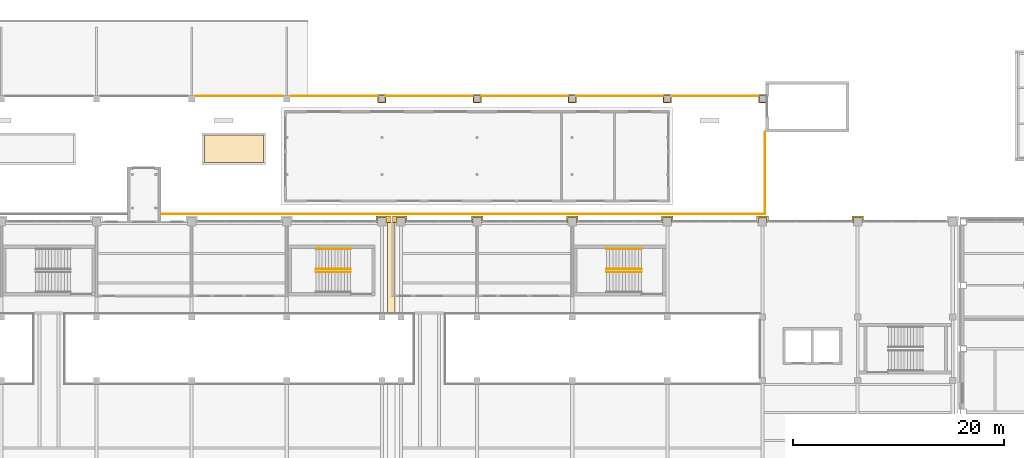
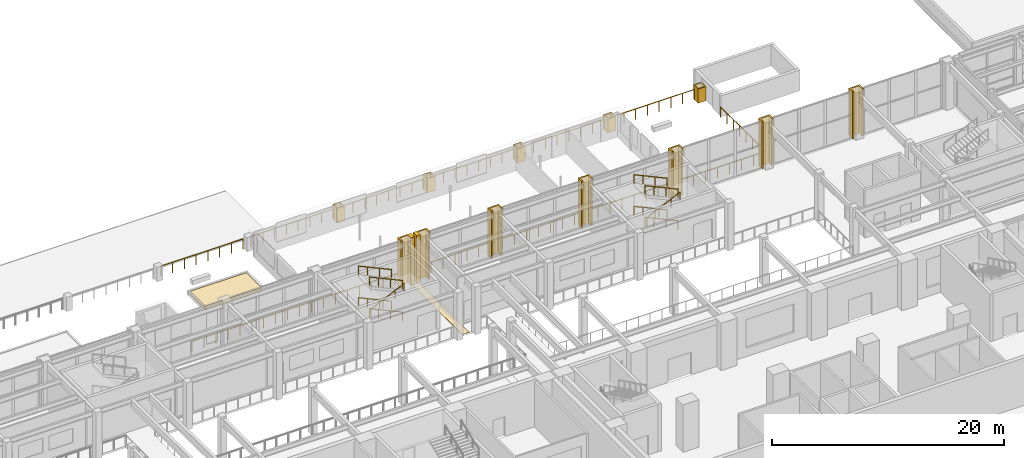
# One storey, part 64 of 67: 18 railings, 14 coverings.
"""IFC4 building model written with IfcOpenShell, lengths in metres."""

from ifc_helpers import new_model, si_unit, direction, frame, origin, origin_2d, place, context, subcontext, project, spatial, polyline, circle, outline, extrude, material, layer, layer_set, type_object, element, save


model = new_model("IFC4")

# Units and contexts
model_context = context("Model", 3, precision=1e-05, world=origin(), true_north=direction((0.0, 1.0)))
body_context = subcontext(model_context, "Body", "Model", "MODEL_VIEW")
ifc_project = project(units=[si_unit("LENGTHUNIT", "METRE"), si_unit("AREAUNIT", "SQUARE_METRE"), si_unit("VOLUMEUNIT", "CUBIC_METRE"), si_unit("PLANEANGLEUNIT", "RADIAN"), si_unit("MASSUNIT", "GRAM", prefix="KILO")], contexts=[model_context])

# Site, building, storey
site_placement = place(None, origin())
site = spatial("IfcSite", under=ifc_project, at=site_placement, CompositionType="ELEMENT")
building_placement = place(site_placement, origin())
building = spatial("IfcBuilding", under=site, at=building_placement, Name="Aravalli Gate Trade Fair Centre", CompositionType="ELEMENT")
storey_placement = place(building_placement, frame((0.0, 0.0, 5.0)))
storey = spatial("IfcBuildingStorey", under=building, at=storey_placement, Name="L01", CompositionType="ELEMENT", Elevation=5.0)

# Coverings
ifc_material_1 = material(Name="Glazed terracotta", Category="masonry")
ifc_layer_1 = layer(ifc_material_1, 0.10009765625)
ifc_layer_set_1 = layer_set([ifc_layer_1], Name="Glazed terracotta")
covering_type_1 = type_object("IfcCoveringType", Name="Arcade pier casing 100", PredefinedType="CLADDING", material=ifc_layer_set_1)
covering_1_placement = place(storey_placement, origin())
element("IfcCovering", 1, at=covering_1_placement, inside=storey, type_object=covering_type_1, Name="Arcade pier casing 12 L01", PredefinedType="CLADDING", context=body_context, shape_type="SweptSolid", body=[
    extrude(outline(polyline([(104.60009765625, 144.25), (105.39990234375, 144.25), (105.39990234375, 145.050048828125), (104.60009765625, 145.050048828125), (104.60009765625, 144.25)]), holes=[polyline([(105.300048828125, 144.949951171875), (105.300048828125, 144.35009765625), (104.699951171875, 144.35009765625), (104.699951171875, 144.949951171875), (105.300048828125, 144.949951171875)])]), origin(), (0.0, 0.0, 1.0), 1.5),
])
covering_2_placement = place(storey_placement, origin())
element("IfcCovering", 2, at=covering_2_placement, inside=storey, type_object=covering_type_1, Name="Arcade pier casing 13 L01", PredefinedType="CLADDING", context=body_context, shape_type="SweptSolid", body=[
    extrude(outline(polyline([(113.60009765625, 144.25), (114.39990234375, 144.25), (114.39990234375, 145.050048828125), (113.60009765625, 145.050048828125), (113.60009765625, 144.25)]), holes=[polyline([(114.300048828125, 144.949951171875), (114.300048828125, 144.35009765625), (113.699951171875, 144.35009765625), (113.699951171875, 144.949951171875), (114.300048828125, 144.949951171875)])]), origin(), (0.0, 0.0, 1.0), 1.5),
])
covering_3_placement = place(storey_placement, origin())
element("IfcCovering", 3, at=covering_3_placement, inside=storey, type_object=covering_type_1, Name="Arcade pier casing 14 L01", PredefinedType="CLADDING", context=body_context, shape_type="SweptSolid", body=[
    extrude(outline(polyline([(122.60009765625, 144.25), (123.39990234375, 144.25), (123.39990234375, 145.050048828125), (122.60009765625, 145.050048828125), (122.60009765625, 144.25)]), holes=[polyline([(123.300048828125, 144.949951171875), (123.300048828125, 144.35009765625), (122.699951171875, 144.35009765625), (122.699951171875, 144.949951171875), (123.300048828125, 144.949951171875)])]), origin(), (0.0, 0.0, 1.0), 1.5),
])
covering_4_placement = place(storey_placement, origin())
element("IfcCovering", 4, at=covering_4_placement, inside=storey, type_object=covering_type_1, Name="Arcade pier casing 15 L01", PredefinedType="CLADDING", context=body_context, shape_type="SweptSolid", body=[
    extrude(outline(polyline([(131.60009765625, 144.25), (132.39990234375, 144.25), (132.39990234375, 145.050048828125), (131.60009765625, 145.050048828125), (131.60009765625, 144.25)]), holes=[polyline([(132.300048828125, 144.949951171875), (132.300048828125, 144.35009765625), (131.699951171875, 144.35009765625), (131.699951171875, 144.949951171875), (132.300048828125, 144.949951171875)])]), origin(), (0.0, 0.0, 1.0), 1.5),
])
covering_5_placement = place(storey_placement, origin())
element("IfcCovering", 5, at=covering_5_placement, inside=storey, type_object=covering_type_1, Name="Arcade pier casing 16 L01", PredefinedType="CLADDING", context=body_context, shape_type="SweptSolid", body=[
    extrude(outline(polyline([(140.60009765625, 144.25), (141.39990234375, 144.25), (141.39990234375, 145.050048828125), (140.60009765625, 145.050048828125), (140.60009765625, 144.25)]), holes=[polyline([(141.300048828125, 144.949951171875), (141.300048828125, 144.35009765625), (140.699951171875, 144.35009765625), (140.699951171875, 144.949951171875), (141.300048828125, 144.949951171875)])]), origin(), (0.0, 0.0, 1.0), 1.5),
])

# Railings
ifc_material_2 = material(Name="Steel E350", Category="steel")
railing_type_1 = type_object("IfcRailingType", Name="Arcade terrace guard 1100", PredefinedType="GUARDRAIL", material=ifc_material_2)
for number, where, name in (
    (6, (87.39990234375, 144.89990234375, 0.0), "Terrace guard N10"),
    (7, (96.39990234375, 144.89990234375, 0.0), "Terrace guard N11"),
    (8, (105.39990234375, 144.89990234375, 0.0), "Terrace guard N12"),
    (9, (114.39990234375, 144.89990234375, 0.0), "Terrace guard N13"),
    (10, (123.39990234375, 144.89990234375, 0.0), "Terrace guard N14"),
    (11, (132.39990234375, 144.89990234375, 0.0), "Terrace guard N15"),
):
    element("IfcRailing", number, at=place(storey_placement, frame(where)), inside=storey, type_object=railing_type_1, Name=name, PredefinedType="GUARDRAIL", context=body_context, shape_type="SweptSolid", body=[
        extrude(circle(Radius=0.02392578125, at=origin_2d()), frame((0.0, 0.0, 1.076171875), z_axis=(1.0, 0.0, 0.0), x_axis=(0.0, 1.0, 0.0)), (0.0, 0.0, 1.0), 8.2001953125),
        extrude(circle(Radius=0.02099609375, at=origin_2d()), origin(), (0.0, 0.0, 1.0), 1.052001953125),
        extrude(circle(Radius=0.02099609375, at=origin_2d()), frame((1.17138671875, 0.0, 0.0)), (0.0, 0.0, 1.0), 1.052001953125),
        extrude(circle(Radius=0.02099609375, at=origin_2d()), frame((2.343017578125, 0.0, 0.0)), (0.0, 0.0, 1.0), 1.052001953125),
        extrude(circle(Radius=0.02099609375, at=origin_2d()), frame((3.514404296875, 0.0, 0.0)), (0.0, 0.0, 1.0), 1.052001953125),
        extrude(circle(Radius=0.02099609375, at=origin_2d()), frame((4.685791015625, 0.0, 0.0)), (0.0, 0.0, 1.0), 1.052001953125),
        extrude(circle(Radius=0.02099609375, at=origin_2d()), frame((5.857177734375, 0.0, 0.0)), (0.0, 0.0, 1.0), 1.052001953125),
        extrude(circle(Radius=0.02099609375, at=origin_2d()), frame((7.02880859375, 0.0, 0.0)), (0.0, 0.0, 1.0), 1.052001953125),
        extrude(circle(Radius=0.02099609375, at=origin_2d()), frame((8.2001953125, 0.0, 0.0)), (0.0, 0.0, 1.0), 1.052001953125),
    ])
railing_1_placement = place(storey_placement, frame((84.080078125, 133.75, 0.0)))
element("IfcRailing", 12, at=railing_1_placement, inside=storey, type_object=railing_type_1, Name="Terrace guard S2", PredefinedType="GUARDRAIL", context=body_context, shape_type="SweptSolid", body=[
    extrude(circle(Radius=0.02392578125, at=origin_2d()), frame((0.0, 0.0, 1.076171875), z_axis=(1.0, 0.0, 0.0), x_axis=(0.0, 1.0, 0.0)), (0.0, 0.0, 1.0), 57.169921875),
    extrude(circle(Radius=0.02099609375, at=origin_2d()), origin(), (0.0, 0.0, 1.0), 1.052001953125),
    extrude(circle(Radius=0.02099609375, at=origin_2d()), frame((1.19091796875, 0.0, 0.0)), (0.0, 0.0, 1.0), 1.052001953125),
    extrude(circle(Radius=0.02099609375, at=origin_2d()), frame((2.382080078125, 0.0, 0.0)), (0.0, 0.0, 1.0), 1.052001953125),
    extrude(circle(Radius=0.02099609375, at=origin_2d()), frame((3.5732421875, 0.0, 0.0)), (0.0, 0.0, 1.0), 1.052001953125),
    extrude(circle(Radius=0.02099609375, at=origin_2d()), frame((4.76416015625, 0.0, 0.0)), (0.0, 0.0, 1.0), 1.052001953125),
    extrude(circle(Radius=0.02099609375, at=origin_2d()), frame((5.955078125, 0.0, 0.0)), (0.0, 0.0, 1.0), 1.052001953125),
    extrude(circle(Radius=0.02099609375, at=origin_2d()), frame((7.146240234375, 0.0, 0.0)), (0.0, 0.0, 1.0), 1.052001953125),
    extrude(circle(Radius=0.02099609375, at=origin_2d()), frame((8.33740234375, 0.0, 0.0)), (0.0, 0.0, 1.0), 1.052001953125),
    extrude(circle(Radius=0.02099609375, at=origin_2d()), frame((9.5283203125, 0.0, 0.0)), (0.0, 0.0, 1.0), 1.052001953125),
    extrude(circle(Radius=0.02099609375, at=origin_2d()), frame((10.71923828125, 0.0, 0.0)), (0.0, 0.0, 1.0), 1.052001953125),
    extrude(circle(Radius=0.02099609375, at=origin_2d()), frame((11.910400390625, 0.0, 0.0)), (0.0, 0.0, 1.0), 1.052001953125),
    extrude(circle(Radius=0.02099609375, at=origin_2d()), frame((13.1015625, 0.0, 0.0)), (0.0, 0.0, 1.0), 1.052001953125),
    extrude(circle(Radius=0.02099609375, at=origin_2d()), frame((14.29248046875, 0.0, 0.0)), (0.0, 0.0, 1.0), 1.052001953125),
    extrude(circle(Radius=0.02099609375, at=origin_2d()), frame((15.4833984375, 0.0, 0.0)), (0.0, 0.0, 1.0), 1.052001953125),
    extrude(circle(Radius=0.02099609375, at=origin_2d()), frame((16.674560546875, 0.0, 0.0)), (0.0, 0.0, 1.0), 1.052001953125),
    extrude(circle(Radius=0.02099609375, at=origin_2d()), frame((17.86572265625, 0.0, 0.0)), (0.0, 0.0, 1.0), 1.052001953125),
    extrude(circle(Radius=0.02099609375, at=origin_2d()), frame((19.056640625, 0.0, 0.0)), (0.0, 0.0, 1.0), 1.052001953125),
    extrude(circle(Radius=0.02099609375, at=origin_2d()), frame((20.24755859375, 0.0, 0.0)), (0.0, 0.0, 1.0), 1.052001953125),
    extrude(circle(Radius=0.02099609375, at=origin_2d()), frame((21.438720703125, 0.0, 0.0)), (0.0, 0.0, 1.0), 1.052001953125),
    extrude(circle(Radius=0.02099609375, at=origin_2d()), frame((22.6298828125, 0.0, 0.0)), (0.0, 0.0, 1.0), 1.052001953125),
    extrude(circle(Radius=0.02099609375, at=origin_2d()), frame((23.82080078125, 0.0, 0.0)), (0.0, 0.0, 1.0), 1.052001953125),
    extrude(circle(Radius=0.02099609375, at=origin_2d()), frame((25.01171875, 0.0, 0.0)), (0.0, 0.0, 1.0), 1.052001953125),
    extrude(circle(Radius=0.02099609375, at=origin_2d()), frame((26.202880859375, 0.0, 0.0)), (0.0, 0.0, 1.0), 1.052001953125),
    extrude(circle(Radius=0.02099609375, at=origin_2d()), frame((27.39404296875, 0.0, 0.0)), (0.0, 0.0, 1.0), 1.052001953125),
    extrude(circle(Radius=0.02099609375, at=origin_2d()), frame((28.5849609375, 0.0, 0.0)), (0.0, 0.0, 1.0), 1.052001953125),
    extrude(circle(Radius=0.02099609375, at=origin_2d()), frame((29.776123046875, 0.0, 0.0)), (0.0, 0.0, 1.0), 1.052001953125),
    extrude(circle(Radius=0.02099609375, at=origin_2d()), frame((30.967041015625, 0.0, 0.0)), (0.0, 0.0, 1.0), 1.052001953125),
    extrude(circle(Radius=0.02099609375, at=origin_2d()), frame((32.158203125, 0.0, 0.0)), (0.0, 0.0, 1.0), 1.052001953125),
    extrude(circle(Radius=0.02099609375, at=origin_2d()), frame((33.34912109375, 0.0, 0.0)), (0.0, 0.0, 1.0), 1.052001953125),
    extrude(circle(Radius=0.02099609375, at=origin_2d()), frame((34.5400390625, 0.0, 0.0)), (0.0, 0.0, 1.0), 1.052001953125),
    extrude(circle(Radius=0.02099609375, at=origin_2d()), frame((35.731201171875, 0.0, 0.0)), (0.0, 0.0, 1.0), 1.052001953125),
    extrude(circle(Radius=0.02099609375, at=origin_2d()), frame((36.92236328125, 0.0, 0.0)), (0.0, 0.0, 1.0), 1.052001953125),
    extrude(circle(Radius=0.02099609375, at=origin_2d()), frame((38.11328125, 0.0, 0.0)), (0.0, 0.0, 1.0), 1.052001953125),
    extrude(circle(Radius=0.02099609375, at=origin_2d()), frame((39.30419921875, 0.0, 0.0)), (0.0, 0.0, 1.0), 1.052001953125),
    extrude(circle(Radius=0.02099609375, at=origin_2d()), frame((40.495361328125, 0.0, 0.0)), (0.0, 0.0, 1.0), 1.052001953125),
    extrude(circle(Radius=0.02099609375, at=origin_2d()), frame((41.6865234375, 0.0, 0.0)), (0.0, 0.0, 1.0), 1.052001953125),
    extrude(circle(Radius=0.02099609375, at=origin_2d()), frame((42.87744140625, 0.0, 0.0)), (0.0, 0.0, 1.0), 1.052001953125),
    extrude(circle(Radius=0.02099609375, at=origin_2d()), frame((44.068359375, 0.0, 0.0)), (0.0, 0.0, 1.0), 1.052001953125),
    extrude(circle(Radius=0.02099609375, at=origin_2d()), frame((45.259521484375, 0.0, 0.0)), (0.0, 0.0, 1.0), 1.052001953125),
    extrude(circle(Radius=0.02099609375, at=origin_2d()), frame((46.45068359375, 0.0, 0.0)), (0.0, 0.0, 1.0), 1.052001953125),
    extrude(circle(Radius=0.02099609375, at=origin_2d()), frame((47.6416015625, 0.0, 0.0)), (0.0, 0.0, 1.0), 1.052001953125),
    extrude(circle(Radius=0.02099609375, at=origin_2d()), frame((48.83251953125, 0.0, 0.0)), (0.0, 0.0, 1.0), 1.052001953125),
    extrude(circle(Radius=0.02099609375, at=origin_2d()), frame((50.023681640625, 0.0, 0.0)), (0.0, 0.0, 1.0), 1.052001953125),
    extrude(circle(Radius=0.02099609375, at=origin_2d()), frame((51.21484375, 0.0, 0.0)), (0.0, 0.0, 1.0), 1.052001953125),
    extrude(circle(Radius=0.02099609375, at=origin_2d()), frame((52.40576171875, 0.0, 0.0)), (0.0, 0.0, 1.0), 1.052001953125),
    extrude(circle(Radius=0.02099609375, at=origin_2d()), frame((53.5966796875, 0.0, 0.0)), (0.0, 0.0, 1.0), 1.052001953125),
    extrude(circle(Radius=0.02099609375, at=origin_2d()), frame((54.787841796875, 0.0, 0.0)), (0.0, 0.0, 1.0), 1.052001953125),
    extrude(circle(Radius=0.02099609375, at=origin_2d()), frame((55.97900390625, 0.0, 0.0)), (0.0, 0.0, 1.0), 1.052001953125),
    extrude(circle(Radius=0.02099609375, at=origin_2d()), frame((57.169921875, 0.0, 0.0)), (0.0, 0.0, 1.0), 1.052001953125),
])
railing_2_placement = place(storey_placement, frame((141.25, 133.75, 0.0)))
element("IfcRailing", 13, at=railing_2_placement, inside=storey, type_object=railing_type_1, Name="Terrace guard E1", PredefinedType="GUARDRAIL", context=body_context, shape_type="SweptSolid", body=[
    extrude(circle(Radius=0.02392578125, at=origin_2d()), frame((0.0, 0.0, 1.076171875), z_axis=(0.0, 1.0, 0.0), x_axis=(-1.0, 0.0, 0.0)), (0.0, 0.0, 1.0), 7.75),
    extrude(circle(Radius=0.02099609375, at=origin_2d()), origin(), (0.0, 0.0, 1.0), 1.052001953125),
    extrude(circle(Radius=0.02099609375, at=origin_2d()), frame((0.0, 1.107177734375, 0.0)), (0.0, 0.0, 1.0), 1.052001953125),
    extrude(circle(Radius=0.02099609375, at=origin_2d()), frame((0.0, 2.21435546875, 0.0)), (0.0, 0.0, 1.0), 1.052001953125),
    extrude(circle(Radius=0.02099609375, at=origin_2d()), frame((0.0, 3.321533203125, 0.0)), (0.0, 0.0, 1.0), 1.052001953125),
    extrude(circle(Radius=0.02099609375, at=origin_2d()), frame((0.0, 4.428466796875, 0.0)), (0.0, 0.0, 1.0), 1.052001953125),
    extrude(circle(Radius=0.02099609375, at=origin_2d()), frame((0.0, 5.53564453125, 0.0)), (0.0, 0.0, 1.0), 1.052001953125),
    extrude(circle(Radius=0.02099609375, at=origin_2d()), frame((0.0, 6.642822265625, 0.0)), (0.0, 0.0, 1.0), 1.052001953125),
    extrude(circle(Radius=0.02099609375, at=origin_2d()), frame((0.0, 7.75, 0.0)), (0.0, 0.0, 1.0), 1.052001953125),
])
railing_type_2 = type_object("IfcRailingType", Name="Concourse stair handrail 900", PredefinedType="HANDRAIL", material=ifc_material_2)
for number, where, name in (
    (14, (102.050048828125, 130.449951171875, 0.138916015625), "Handrail XD L01 flight 1o"),
    (15, (102.050048828125, 128.550048828125, 0.138916015625), "Handrail XD L01 flight 1i"),
):
    element("IfcRailing", number, at=place(storey_placement, frame(where)), inside=storey, type_object=railing_type_2, Name=name, PredefinedType="HANDRAIL", context=body_context, shape_type="SweptSolid", body=[
        extrude(circle(Radius=0.02392578125, at=origin_2d()), frame((0.0, 0.0, 0.8759765625), z_axis=(-0.907499493834, 0.0, 0.420053173647), x_axis=(0.0, -1.0, 0.0)), (0.0, 0.0, 1.0), 1.322265625),
        extrude(circle(Radius=0.02392578125, at=origin_2d()), frame((-1.199951171875, 0.0, 1.43115234375), z_axis=(-0.907461694017, 0.0, 0.420134828231), x_axis=(0.0, -1.0, 0.0)), (0.0, 0.0, 1.0), 1.322509765625),
        extrude(circle(Radius=0.02392578125, at=origin_2d()), frame((-2.400146484375, 0.0, 1.98681640625), z_axis=(-0.907418235185, 0.0, 0.420228683522), x_axis=(0.0, -1.0, 0.0)), (0.0, 0.0, 1.0), 0.99169921875),
        extrude(circle(Radius=0.02099609375, at=origin_2d()), origin(), (0.0, 0.0, 1.0), 0.851806640625),
        extrude(circle(Radius=0.02099609375, at=origin_2d()), frame((-1.199951171875, 0.0, 0.555419921875)), (0.0, 0.0, 1.0), 0.851806640625),
        extrude(circle(Radius=0.02099609375, at=origin_2d()), frame((-2.400146484375, 0.0, 1.111083984375)), (0.0, 0.0, 1.0), 0.851806640625),
        extrude(circle(Radius=0.02099609375, at=origin_2d()), frame((-3.300048828125, 0.0, 1.52783203125)), (0.0, 0.0, 1.0), 0.851806640625),
    ])
railing_3_placement = place(storey_placement, frame((98.75, 128.25, 1.8056640625)))
element("IfcRailing", 16, at=railing_3_placement, inside=storey, type_object=railing_type_2, Name="Handrail XD L01 flight 2i", PredefinedType="HANDRAIL", context=body_context, shape_type="SweptSolid", body=[
    extrude(circle(Radius=0.02392578125, at=origin_2d()), frame((0.0, 0.0, 0.8759765625), z_axis=(0.907499493834, 0.0, 0.420053173647), x_axis=(0.0, 1.0, 0.0)), (0.0, 0.0, 1.0), 1.322265625),
    extrude(circle(Radius=0.02392578125, at=origin_2d()), frame((1.199951171875, 0.0, 1.43115234375), z_axis=(0.907429102623, 0.0, 0.420205216189), x_axis=(0.0, 1.0, 0.0)), (0.0, 0.0, 1.0), 1.322265625),
    extrude(circle(Radius=0.02392578125, at=origin_2d()), frame((2.39990234375, 0.0, 1.98681640625), z_axis=(0.907555517655, 0.0, 0.419932116387), x_axis=(0.0, 1.0, 0.0)), (0.0, 0.0, 1.0), 0.991943359375),
    extrude(circle(Radius=0.02099609375, at=origin_2d()), origin(), (0.0, 0.0, 1.0), 0.851806640625),
    extrude(circle(Radius=0.02099609375, at=origin_2d()), frame((1.199951171875, 0.0, 0.555419921875)), (0.0, 0.0, 1.0), 0.851806640625),
    extrude(circle(Radius=0.02099609375, at=origin_2d()), frame((2.39990234375, 0.0, 1.111083984375)), (0.0, 0.0, 1.0), 0.851806640625),
    extrude(circle(Radius=0.02099609375, at=origin_2d()), frame((3.300048828125, 0.0, 1.527587890625)), (0.0, 0.0, 1.0), 0.851806640625),
])
for number, where, name in (
    (17, (102.050048828125, 130.449951171875, 3.47216796875), "Handrail XD L01 flight 3o"),
    (18, (102.050048828125, 128.550048828125, 3.47216796875), "Handrail XD L01 flight 3i"),
):
    element("IfcRailing", number, at=place(storey_placement, frame(where)), inside=storey, type_object=railing_type_2, Name=name, PredefinedType="HANDRAIL", context=body_context, shape_type="SweptSolid", body=[
        extrude(circle(Radius=0.02392578125, at=origin_2d()), frame((0.0, 0.0, 0.8759765625), z_axis=(-0.907429102623, 0.0, 0.420205216189), x_axis=(0.0, -1.0, 0.0)), (0.0, 0.0, 1.0), 1.322265625),
        extrude(circle(Radius=0.02392578125, at=origin_2d()), frame((-1.199951171875, 0.0, 1.431640625), z_axis=(-0.907532064172, 0.0, 0.419982800242), x_axis=(0.0, -1.0, 0.0)), (0.0, 0.0, 1.0), 1.322509765625),
        extrude(circle(Radius=0.02392578125, at=origin_2d()), frame((-2.400146484375, 0.0, 1.98681640625), z_axis=(-0.907418235185, 0.0, 0.420228683522), x_axis=(0.0, -1.0, 0.0)), (0.0, 0.0, 1.0), 0.99169921875),
        extrude(circle(Radius=0.02099609375, at=origin_2d()), origin(), (0.0, 0.0, 1.0), 0.851806640625),
        extrude(circle(Radius=0.02099609375, at=origin_2d()), frame((-1.199951171875, 0.0, 0.5556640625)), (0.0, 0.0, 1.0), 0.851806640625),
        extrude(circle(Radius=0.02099609375, at=origin_2d()), frame((-2.400146484375, 0.0, 1.111083984375)), (0.0, 0.0, 1.0), 0.851806640625),
        extrude(circle(Radius=0.02099609375, at=origin_2d()), frame((-3.300048828125, 0.0, 1.52783203125)), (0.0, 0.0, 1.0), 0.851806640625),
    ])
for number, where, name in (
    (19, (129.550048828125, 130.449951171875, 0.138916015625), "Handrail XE L01 flight 1o"),
    (20, (129.550048828125, 128.550048828125, 0.138916015625), "Handrail XE L01 flight 1i"),
):
    element("IfcRailing", number, at=place(storey_placement, frame(where)), inside=storey, type_object=railing_type_2, Name=name, PredefinedType="HANDRAIL", context=body_context, shape_type="SweptSolid", body=[
        extrude(circle(Radius=0.02392578125, at=origin_2d()), frame((0.0, 0.0, 0.8759765625), z_axis=(-0.907499493834, 0.0, 0.420053173647), x_axis=(0.0, -1.0, 0.0)), (0.0, 0.0, 1.0), 1.322265625),
        extrude(circle(Radius=0.02392578125, at=origin_2d()), frame((-1.199951171875, 0.0, 1.43115234375), z_axis=(-0.907461694017, 0.0, 0.420134828231), x_axis=(0.0, -1.0, 0.0)), (0.0, 0.0, 1.0), 1.322509765625),
        extrude(circle(Radius=0.02392578125, at=origin_2d()), frame((-2.400146484375, 0.0, 1.98681640625), z_axis=(-0.907418235185, 0.0, 0.420228683522), x_axis=(0.0, -1.0, 0.0)), (0.0, 0.0, 1.0), 0.99169921875),
        extrude(circle(Radius=0.02099609375, at=origin_2d()), origin(), (0.0, 0.0, 1.0), 0.851806640625),
        extrude(circle(Radius=0.02099609375, at=origin_2d()), frame((-1.199951171875, 0.0, 0.555419921875)), (0.0, 0.0, 1.0), 0.851806640625),
        extrude(circle(Radius=0.02099609375, at=origin_2d()), frame((-2.400146484375, 0.0, 1.111083984375)), (0.0, 0.0, 1.0), 0.851806640625),
        extrude(circle(Radius=0.02099609375, at=origin_2d()), frame((-3.300048828125, 0.0, 1.52783203125)), (0.0, 0.0, 1.0), 0.851806640625),
    ])
railing_4_placement = place(storey_placement, frame((126.25, 128.25, 1.8056640625)))
element("IfcRailing", 21, at=railing_4_placement, inside=storey, type_object=railing_type_2, Name="Handrail XE L01 flight 2i", PredefinedType="HANDRAIL", context=body_context, shape_type="SweptSolid", body=[
    extrude(circle(Radius=0.02392578125, at=origin_2d()), frame((0.0, 0.0, 0.8759765625), z_axis=(0.907499493834, 0.0, 0.420053173647), x_axis=(0.0, 1.0, 0.0)), (0.0, 0.0, 1.0), 1.322265625),
    extrude(circle(Radius=0.02392578125, at=origin_2d()), frame((1.199951171875, 0.0, 1.43115234375), z_axis=(0.907429102623, 0.0, 0.420205216189), x_axis=(0.0, 1.0, 0.0)), (0.0, 0.0, 1.0), 1.322265625),
    extrude(circle(Radius=0.02392578125, at=origin_2d()), frame((2.39990234375, 0.0, 1.98681640625), z_axis=(0.907555517655, 0.0, 0.419932116387), x_axis=(0.0, 1.0, 0.0)), (0.0, 0.0, 1.0), 0.991943359375),
    extrude(circle(Radius=0.02099609375, at=origin_2d()), origin(), (0.0, 0.0, 1.0), 0.851806640625),
    extrude(circle(Radius=0.02099609375, at=origin_2d()), frame((1.199951171875, 0.0, 0.555419921875)), (0.0, 0.0, 1.0), 0.851806640625),
    extrude(circle(Radius=0.02099609375, at=origin_2d()), frame((2.39990234375, 0.0, 1.111083984375)), (0.0, 0.0, 1.0), 0.851806640625),
    extrude(circle(Radius=0.02099609375, at=origin_2d()), frame((3.300048828125, 0.0, 1.527587890625)), (0.0, 0.0, 1.0), 0.851806640625),
])
for number, where, name in (
    (22, (129.550048828125, 130.449951171875, 3.47216796875), "Handrail XE L01 flight 3o"),
    (23, (129.550048828125, 128.550048828125, 3.47216796875), "Handrail XE L01 flight 3i"),
):
    element("IfcRailing", number, at=place(storey_placement, frame(where)), inside=storey, type_object=railing_type_2, Name=name, PredefinedType="HANDRAIL", context=body_context, shape_type="SweptSolid", body=[
        extrude(circle(Radius=0.02392578125, at=origin_2d()), frame((0.0, 0.0, 0.8759765625), z_axis=(-0.907429102623, 0.0, 0.420205216189), x_axis=(0.0, -1.0, 0.0)), (0.0, 0.0, 1.0), 1.322265625),
        extrude(circle(Radius=0.02392578125, at=origin_2d()), frame((-1.199951171875, 0.0, 1.431640625), z_axis=(-0.907532064172, 0.0, 0.419982800242), x_axis=(0.0, -1.0, 0.0)), (0.0, 0.0, 1.0), 1.322509765625),
        extrude(circle(Radius=0.02392578125, at=origin_2d()), frame((-2.400146484375, 0.0, 1.98681640625), z_axis=(-0.907418235185, 0.0, 0.420228683522), x_axis=(0.0, -1.0, 0.0)), (0.0, 0.0, 1.0), 0.99169921875),
        extrude(circle(Radius=0.02099609375, at=origin_2d()), origin(), (0.0, 0.0, 1.0), 0.851806640625),
        extrude(circle(Radius=0.02099609375, at=origin_2d()), frame((-1.199951171875, 0.0, 0.5556640625)), (0.0, 0.0, 1.0), 0.851806640625),
        extrude(circle(Radius=0.02099609375, at=origin_2d()), frame((-2.400146484375, 0.0, 1.111083984375)), (0.0, 0.0, 1.0), 0.851806640625),
        extrude(circle(Radius=0.02099609375, at=origin_2d()), frame((-3.300048828125, 0.0, 1.52783203125)), (0.0, 0.0, 1.0), 0.851806640625),
    ])

# Coverings
ifc_material_3 = material(Name="Stainless steel", Category="steel")
ifc_layer_2 = layer(ifc_material_3, 0.010009765625)
ifc_layer_set_2 = layer_set([ifc_layer_2], Name="Stainless steel")
covering_type_2 = type_object("IfcCoveringType", Name="Joint cover plate, stainless steel 10", PredefinedType="FLOORING", material=ifc_layer_set_2)
covering_6_placement = place(storey_placement, origin())
element("IfcCovering", 24, at=covering_6_placement, inside=storey, type_object=covering_type_2, Name="Joint cover plate J2 L01 2", PredefinedType="FLOORING", context=body_context, shape_type="SweptSolid", body=[
    extrude(outline(polyline([(105.550048828125, 132.919921875), (105.550048828125, 124.300048828125), (106.25, 124.300048828125), (106.25, 132.919921875), (105.550048828125, 132.919921875)])), origin(), (0.0, 0.0, 1.0), 0.010009765625),
])
ifc_material_4 = material(Name="Planting substrate")
ifc_layer_3 = layer(ifc_material_4, 0.39990234375)
ifc_layer_set_3 = layer_set([ifc_layer_3], Name="Planting substrate")
covering_type_3 = type_object("IfcCoveringType", Name="Terrace planting bed 400", PredefinedType="FLOORING", material=ifc_layer_set_3)
covering_7_placement = place(storey_placement, origin())
element("IfcCovering", 25, at=covering_7_placement, inside=storey, type_object=covering_type_3, Name="Terrace planting bed 5", PredefinedType="FLOORING", context=body_context, shape_type="SweptSolid", body=[
    extrude(outline(polyline([(93.800048828125, 138.60009765625), (93.800048828125, 141.199951171875), (88.199951171875, 141.199951171875), (88.199951171875, 138.60009765625), (93.800048828125, 138.60009765625)])), origin(), (0.0, 0.0, 1.0), 0.39990234375),
])
ifc_layer_4 = layer(ifc_material_1, 0.14990234375)
ifc_layer_set_4 = layer_set([ifc_layer_4], Name="Glazed terracotta")
covering_type_4 = type_object("IfcCoveringType", Name="Terracotta pier casing 150", PredefinedType="CLADDING", material=ifc_layer_set_4)
covering_8_placement = place(storey_placement, origin())
element("IfcCovering", 26, at=covering_8_placement, inside=storey, type_object=covering_type_4, Name="Pier casing K12 L01", PredefinedType="CLADDING", context=body_context, shape_type="SweptSolid", body=[
    extrude(outline(polyline([(104.449951171875, 132.919921875), (104.60009765625, 132.919921875), (104.60009765625, 133.39990234375), (105.39990234375, 133.39990234375), (105.39990234375, 132.919921875), (105.800048828125, 132.919921875), (105.800048828125, 133.550048828125), (104.449951171875, 133.550048828125), (104.449951171875, 132.919921875)])), origin(), (0.0, 0.0, 1.0), 5.0),
])
covering_9_placement = place(storey_placement, origin())
element("IfcCovering", 27, at=covering_9_placement, inside=storey, type_object=covering_type_4, Name="Pier casing K12A L01", PredefinedType="CLADDING", context=body_context, shape_type="SweptSolid", body=[
    extrude(outline(polyline([(106.0, 132.919921875), (106.39990234375, 132.919921875), (106.39990234375, 133.39990234375), (107.199951171875, 133.39990234375), (107.199951171875, 132.919921875), (107.35009765625, 132.919921875), (107.35009765625, 133.550048828125), (106.0, 133.550048828125), (106.0, 132.919921875)])), origin(), (0.0, 0.0, 1.0), 5.0),
])
covering_10_placement = place(storey_placement, origin())
element("IfcCovering", 28, at=covering_10_placement, inside=storey, type_object=covering_type_4, Name="Pier casing K13 L01", PredefinedType="CLADDING", context=body_context, shape_type="SweptSolid", body=[
    extrude(outline(polyline([(113.449951171875, 132.919921875), (113.60009765625, 132.919921875), (113.60009765625, 133.39990234375), (114.39990234375, 133.39990234375), (114.39990234375, 132.919921875), (114.550048828125, 132.919921875), (114.550048828125, 133.550048828125), (113.449951171875, 133.550048828125), (113.449951171875, 132.919921875)])), origin(), (0.0, 0.0, 1.0), 5.0),
])
covering_11_placement = place(storey_placement, origin())
element("IfcCovering", 29, at=covering_11_placement, inside=storey, type_object=covering_type_4, Name="Pier casing K14 L01", PredefinedType="CLADDING", context=body_context, shape_type="SweptSolid", body=[
    extrude(outline(polyline([(122.449951171875, 132.919921875), (122.60009765625, 132.919921875), (122.60009765625, 133.39990234375), (123.39990234375, 133.39990234375), (123.39990234375, 132.919921875), (123.550048828125, 132.919921875), (123.550048828125, 133.550048828125), (122.449951171875, 133.550048828125), (122.449951171875, 132.919921875)])), origin(), (0.0, 0.0, 1.0), 5.0),
])
covering_12_placement = place(storey_placement, origin())
element("IfcCovering", 30, at=covering_12_placement, inside=storey, type_object=covering_type_4, Name="Pier casing K15 L01", PredefinedType="CLADDING", context=body_context, shape_type="SweptSolid", body=[
    extrude(outline(polyline([(131.449951171875, 132.919921875), (131.60009765625, 132.919921875), (131.60009765625, 133.39990234375), (132.39990234375, 133.39990234375), (132.39990234375, 132.919921875), (132.550048828125, 132.919921875), (132.550048828125, 133.550048828125), (131.449951171875, 133.550048828125), (131.449951171875, 132.919921875)])), origin(), (0.0, 0.0, 1.0), 5.0),
])
covering_13_placement = place(storey_placement, origin())
element("IfcCovering", 31, at=covering_13_placement, inside=storey, type_object=covering_type_4, Name="Pier casing K16 L01", PredefinedType="CLADDING", context=body_context, shape_type="SweptSolid", body=[
    extrude(outline(polyline([(140.449951171875, 132.919921875), (140.60009765625, 132.919921875), (140.60009765625, 133.39990234375), (141.39990234375, 133.39990234375), (141.39990234375, 132.919921875), (141.550048828125, 132.919921875), (141.550048828125, 133.550048828125), (140.449951171875, 133.550048828125), (140.449951171875, 132.919921875)])), origin(), (0.0, 0.0, 1.0), 5.0),
])
covering_14_placement = place(storey_placement, origin())
element("IfcCovering", 32, at=covering_14_placement, inside=storey, type_object=covering_type_4, Name="Pier casing K17 L01", PredefinedType="CLADDING", context=body_context, shape_type="SweptSolid", body=[
    extrude(outline(polyline([(149.449951171875, 132.919921875), (149.60009765625, 132.919921875), (149.60009765625, 133.39990234375), (150.39990234375, 133.39990234375), (150.39990234375, 132.919921875), (150.550048828125, 132.919921875), (150.550048828125, 133.550048828125), (149.449951171875, 133.550048828125), (149.449951171875, 132.919921875)])), origin(), (0.0, 0.0, 1.0), 5.0),
])

save(model, "model.ifc")
